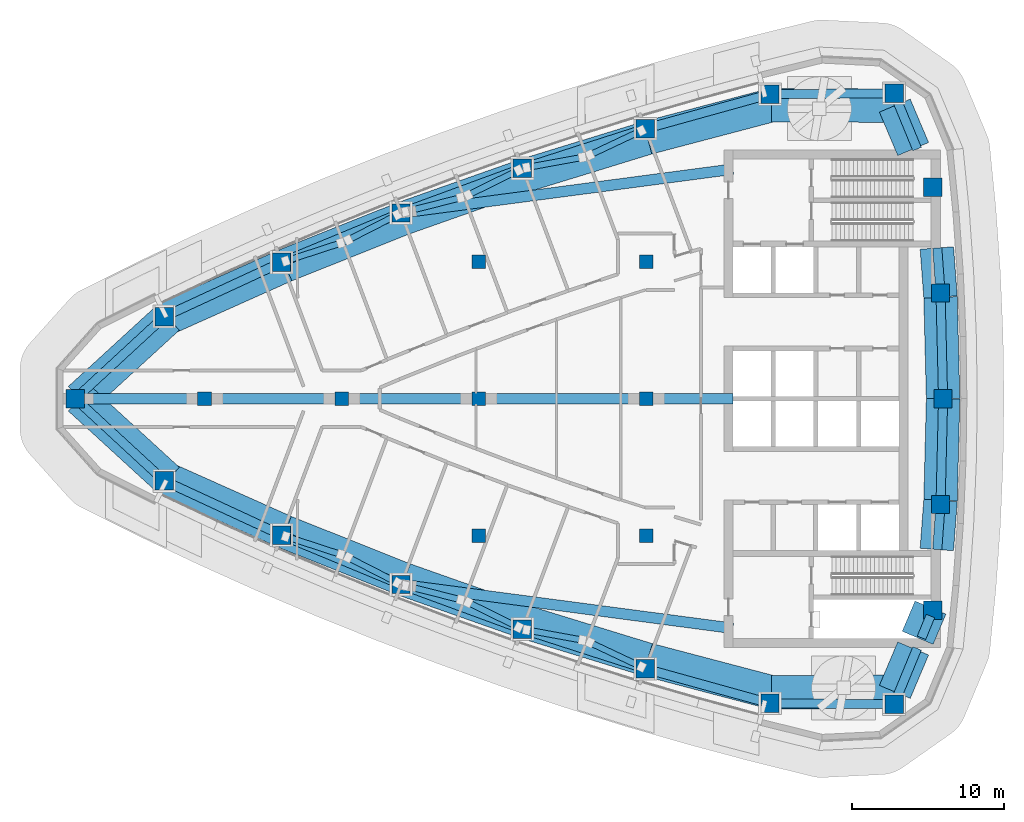
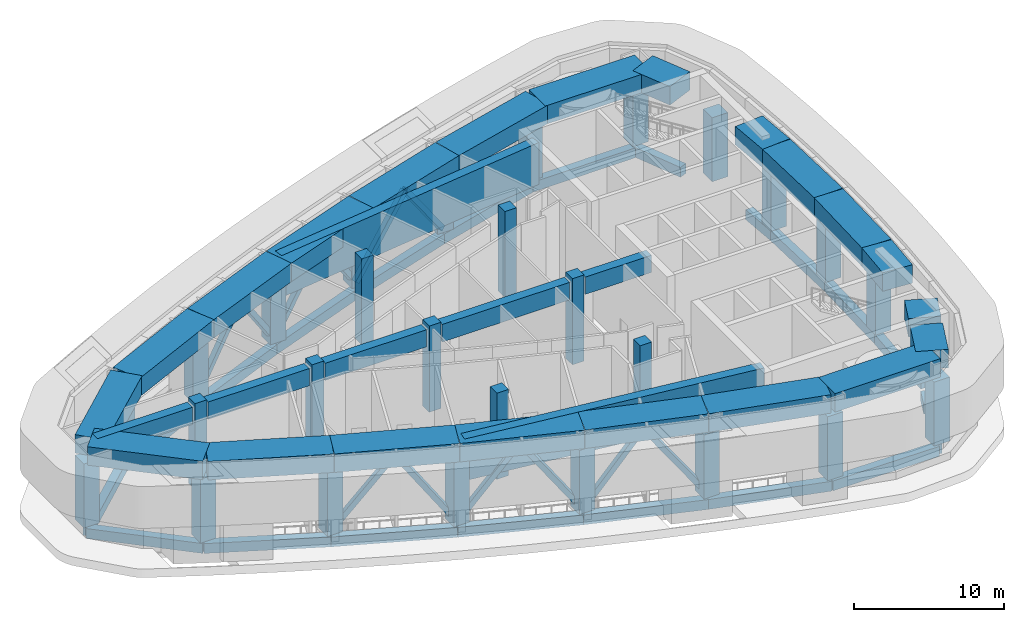
# One storey, part 1 of 12: 49 beams, 28 columns, 12 members.
"""IFC4 building model written with IfcOpenShell, lengths in metres."""

from ifc_helpers import new_model, si_unit, direction, frame, origin, origin_2d, place, context, subcontext, project, spatial, rectangle, hollow_rectangle, extrude, material, material_profile, profile_set, type_object, element, save


model = new_model("IFC4")

# Units and contexts
model_context = context("Model", 3, precision=1e-05, world=origin(), true_north=direction((0.0, 1.0)))
body_context = subcontext(model_context, "Body", "Model", "MODEL_VIEW")
ifc_project = project(units=[si_unit("LENGTHUNIT", "METRE"), si_unit("AREAUNIT", "SQUARE_METRE"), si_unit("VOLUMEUNIT", "CUBIC_METRE"), si_unit("PLANEANGLEUNIT", "RADIAN"), si_unit("MASSUNIT", "GRAM", prefix="KILO")], contexts=[model_context])

# Site, building, storey
site_placement = place(None, origin())
site = spatial("IfcSite", under=ifc_project, at=site_placement, CompositionType="ELEMENT")
building_placement = place(site_placement, origin())
building = spatial("IfcBuilding", under=site, at=building_placement, Name="Ostrand Prow Hotel Tower", CompositionType="ELEMENT")
storey_placement = place(building_placement, frame((0.0, 0.0, 256.300048828125)))
storey = spatial("IfcBuildingStorey", under=building, at=storey_placement, Name="L65", CompositionType="ELEMENT", Elevation=256.300048828125)

# Columns
ifc_material_1 = material(Name="Concrete C50/60", Category="concrete")
ifc_material_profile_1 = material_profile(ifc_material_1, rectangle(XDim=0.89990234375, YDim=0.89990234375, at=origin_2d()), Name="RC 900x900")
ifc_profile_set_1 = profile_set([ifc_material_profile_1], Name="Concrete C50/60")
column_type_1 = type_object("IfcColumnType", Name="Interior column 900x900 C50/60", PredefinedType="COLUMN", material=ifc_profile_set_1)
for number, where, z_axis, x_axis, name in (
    (1, (16.0, 0.0, 0.0), (0.0, 0.0, 1.0), (1.0, 0.0, 0.0), "Interior column 16C0"),
    (2, (25.0, 0.0, 0.0), (0.0, 0.0, 1.0), (1.0, 0.0, 0.0), "Interior column 25C0"),
    (3, (34.0, -9.0, 0.0), (0.0, 0.0, 1.0), (1.0, 0.0, 0.0), "Interior column 34S9"),
    (4, (34.0, 0.0, 0.0), (0.0, 0.0, 1.0), (1.0, 0.0, 0.0), "Interior column 34C0"),
    (5, (34.0, 9.0, 0.0), (0.0, 0.0, 1.0), (1.0, 0.0, 0.0), "Interior column 34N9"),
    (6, (45.0, -9.0, 0.0), (0.0, 0.0, 1.0), (1.0, 0.0, 0.0), "Interior column 45S9"),
    (7, (45.0, 0.0, 0.0), (0.0, 0.0, 1.0), (1.0, 0.0, 0.0), "Interior column 45C0"),
    (8, (45.0, 9.0, 0.0), (0.0, 0.0, 1.0), (1.0, 0.0, 0.0), "Interior column 45N9"),
):
    element("IfcColumn", number, at=place(storey_placement, frame(where, z_axis=z_axis, x_axis=x_axis)), inside=storey, type_object=column_type_1, Name=name, PredefinedType="COLUMN", context=body_context, shape_type="SweptSolid", body=[
        extrude(rectangle(XDim=0.89990234375, YDim=0.89990234375, at=origin_2d()), origin(), (0.0, 0.0, 1.0), 7.0),
    ])
ifc_material_2 = material(Name="Concrete C50/60", Category="concrete")
ifc_material_profile_2 = material_profile(ifc_material_2, rectangle(XDim=1.199951171875, YDim=1.199951171875, at=origin_2d()), Name="RC 1200x1200")
ifc_profile_set_2 = profile_set([ifc_material_profile_2], Name="Concrete C50/60")
column_type_2 = type_object("IfcColumnType", Name="Stone-faced mega column 1200x1200 C50/60", PredefinedType="COLUMN", material=ifc_profile_set_2)
for number, where, z_axis, x_axis, name in (
    (9, (7.513916015625, 0.0, 0.0), (0.0, 0.0, 1.0), (1.0, 0.0, 0.0), "Mega column P"),
    (10, (13.356201171875, -5.392822265625, 0.0), (0.0, 0.0, 1.0), (1.0, 0.0, 0.0), "Mega column S1"),
    (11, (21.05859375, -8.95751953125, 0.0), (0.0, 0.0, 1.0), (1.0, 0.0, 0.0), "Mega column S2"),
    (12, (28.900146484375, -12.205322265625, 0.0), (0.0, 0.0, 1.0), (1.0, 0.0, 0.0), "Mega column S3"),
    (13, (36.8671875, -15.131591796875, 0.0), (0.0, 0.0, 1.0), (1.0, 0.0, 0.0), "Mega column S4"),
    (14, (44.94677734375, -17.731201171875, 0.0), (0.0, 0.0, 1.0), (1.0, 0.0, 0.0), "Mega column S5"),
    (15, (53.12548828125, -19.99951171875, 0.0), (0.0, 0.0, 1.0), (1.0, 0.0, 0.0), "Mega column S6"),
    (16, (61.283935546875, -20.06201171875, 0.0), (0.0, 0.0, 1.0), (1.0, 0.0, 0.0), "Mega column SE"),
    (17, (63.826416015625, -13.887939453125, 0.0), (0.0, 0.0, 1.0), (1.0, 0.0, 0.0), "Mega column B1"),
    (18, (64.33154296875, -6.9521484375, 0.0), (0.0, 0.0, 1.0), (1.0, 0.0, 0.0), "Mega column B2"),
    (19, (64.5, 0.0, 0.0), (0.0, 0.0, 1.0), (1.0, 0.0, 0.0), "Mega column B3"),
    (20, (64.33154296875, 6.9521484375, 0.0), (0.0, 0.0, 1.0), (1.0, 0.0, 0.0), "Mega column B4"),
    (21, (63.826416015625, 13.887939453125, 0.0), (0.0, 0.0, 1.0), (1.0, 0.0, 0.0), "Mega column B5"),
    (22, (61.283935546875, 20.06201171875, 0.0), (0.0, 0.0, 1.0), (1.0, 0.0, 0.0), "Mega column NE"),
    (23, (53.12548828125, 19.99951171875, 0.0), (0.0, 0.0, 1.0), (1.0, 0.0, 0.0), "Mega column N1"),
    (24, (44.94677734375, 17.731201171875, 0.0), (0.0, 0.0, 1.0), (1.0, 0.0, 0.0), "Mega column N2"),
    (25, (36.8671875, 15.131591796875, 0.0), (0.0, 0.0, 1.0), (1.0, 0.0, 0.0), "Mega column N3"),
    (26, (28.900146484375, 12.205322265625, 0.0), (0.0, 0.0, 1.0), (1.0, 0.0, 0.0), "Mega column N4"),
    (27, (21.05859375, 8.95751953125, 0.0), (0.0, 0.0, 1.0), (1.0, 0.0, 0.0), "Mega column N5"),
    (28, (13.356201171875, 5.392822265625, 0.0), (0.0, 0.0, 1.0), (1.0, 0.0, 0.0), "Mega column N6"),
):
    element("IfcColumn", number, at=place(storey_placement, frame(where, z_axis=z_axis, x_axis=x_axis)), inside=storey, type_object=column_type_2, Name=name, PredefinedType="COLUMN", context=body_context, shape_type="SweptSolid", body=[
        extrude(rectangle(XDim=1.199951171875, YDim=1.199951171875, at=origin_2d()), origin(), (0.0, 0.0, 1.0), 5.199951171875),
    ])

# Members
ifc_material_3 = material(Name="Steel S355", Category="steel")
ifc_material_profile_3 = material_profile(ifc_material_3, hollow_rectangle(XDim=0.406005859375, YDim=0.406005859375, WallThickness=0.01904296875, at=origin_2d()), Name="HSS406x406x19")
ifc_profile_set_3 = profile_set([ifc_material_profile_3], Name="Steel S355")
member_type = type_object("IfcMemberType", Name="Belt brace HSS406x406x19", PredefinedType="BRACE", material=ifc_profile_set_3)
member_1_placement = place(storey_placement, frame((21.05859375, -8.95751953125, 0.0), z_axis=(0.586603130859, -0.191426608854, 0.786926057701), x_axis=(0.310230036698, 0.950661519328, 0.0)))
element("IfcMember", 29, at=member_1_placement, inside=storey, type_object=member_type, Name="Belt brace 01", PredefinedType="BRACE", context=body_context, shape_type="SweptSolid", body=[
    extrude(hollow_rectangle(XDim=0.406005859375, YDim=0.406005859375, WallThickness=0.01904296875, at=origin_2d()), origin(), (0.0, 0.0, 1.0), 7.052734375),
])
member_2_placement = place(storey_placement, frame((28.900146484375, -12.205322265625, 0.0), z_axis=(-0.533973069173, 0.27354990224, 0.800027007283), x_axis=(-0.455943869027, -0.89000853271, 0.0)))
element("IfcMember", 30, at=member_2_placement, inside=storey, type_object=member_type, Name="Belt brace 02", PredefinedType="BRACE", context=body_context, shape_type="SweptSolid", body=[
    extrude(hollow_rectangle(XDim=0.406005859375, YDim=0.406005859375, WallThickness=0.01904296875, at=origin_2d()), origin(), (0.0, 0.0, 1.0), 6.937255859375),
])
member_3_placement = place(storey_placement, frame((28.900146484375, -12.205322265625, 0.0), z_axis=(0.594227965043, -0.150859324887, 0.790021891884), x_axis=(0.246068475961, 0.969252446547, 0.0)))
element("IfcMember", 31, at=member_3_placement, inside=storey, type_object=member_type, Name="Belt brace 03", PredefinedType="BRACE", context=body_context, shape_type="SweptSolid", body=[
    extrude(hollow_rectangle(XDim=0.406005859375, YDim=0.406005859375, WallThickness=0.01904296875, at=origin_2d()), origin(), (0.0, 0.0, 1.0), 7.025146484375),
])
member_4_placement = place(storey_placement, frame((36.8671875, -15.131591796875, 0.0), z_axis=(-0.543618770018, 0.267539944431, 0.795550759548), x_axis=(-0.44156743606, -0.897228064324, 0.0)))
element("IfcMember", 32, at=member_4_placement, inside=storey, type_object=member_type, Name="Belt brace 04", PredefinedType="BRACE", context=body_context, shape_type="SweptSolid", body=[
    extrude(hollow_rectangle(XDim=0.406005859375, YDim=0.406005859375, WallThickness=0.01904296875, at=origin_2d()), origin(), (0.0, 0.0, 1.0), 6.976318359375),
])
member_5_placement = place(storey_placement, frame((36.8671875, -15.131591796875, 0.0), z_axis=(0.599818407788, -0.109650598262, 0.792587297387), x_axis=(0.179826285282, 0.983698382189, 0.0)))
element("IfcMember", 33, at=member_5_placement, inside=storey, type_object=member_type, Name="Belt brace 05", PredefinedType="BRACE", context=body_context, shape_type="SweptSolid", body=[
    extrude(hollow_rectangle(XDim=0.406005859375, YDim=0.406005859375, WallThickness=0.01904296875, at=origin_2d()), origin(), (0.0, 0.0, 1.0), 7.00244140625),
])
member_6_placement = place(storey_placement, frame((44.94677734375, -17.731201171875, 0.0), z_axis=(-0.553025634741, 0.261129725454, 0.791185132446), x_axis=(-0.426977869339, -0.904262074343, 0.0)))
element("IfcMember", 34, at=member_6_placement, inside=storey, type_object=member_type, Name="Belt brace 06", PredefinedType="BRACE", context=body_context, shape_type="SweptSolid", body=[
    extrude(hollow_rectangle(XDim=0.406005859375, YDim=0.406005859375, WallThickness=0.01904296875, at=origin_2d()), origin(), (0.0, 0.0, 1.0), 7.014892578125),
])
member_7_placement = place(storey_placement, frame((21.05859375, 8.95751953125, 0.0), z_axis=(0.586603130859, 0.191426608854, 0.786926057701), x_axis=(-0.310230036698, 0.950661519328, 0.0)))
element("IfcMember", 35, at=member_7_placement, inside=storey, type_object=member_type, Name="Belt brace 07", PredefinedType="BRACE", context=body_context, shape_type="SweptSolid", body=[
    extrude(hollow_rectangle(XDim=0.406005859375, YDim=0.406005859375, WallThickness=0.01904296875, at=origin_2d()), origin(), (0.0, 0.0, 1.0), 7.052734375),
])
member_8_placement = place(storey_placement, frame((28.900146484375, 12.205322265625, 0.0), z_axis=(-0.533973069173, -0.27354990224, 0.800027007283), x_axis=(0.455943869027, -0.89000853271, 0.0)))
element("IfcMember", 36, at=member_8_placement, inside=storey, type_object=member_type, Name="Belt brace 08", PredefinedType="BRACE", context=body_context, shape_type="SweptSolid", body=[
    extrude(hollow_rectangle(XDim=0.406005859375, YDim=0.406005859375, WallThickness=0.01904296875, at=origin_2d()), origin(), (0.0, 0.0, 1.0), 6.937255859375),
])
member_9_placement = place(storey_placement, frame((28.900146484375, 12.205322265625, 0.0), z_axis=(0.594227965043, 0.150859324887, 0.790021891884), x_axis=(-0.246068475961, 0.969252446547, 0.0)))
element("IfcMember", 37, at=member_9_placement, inside=storey, type_object=member_type, Name="Belt brace 09", PredefinedType="BRACE", context=body_context, shape_type="SweptSolid", body=[
    extrude(hollow_rectangle(XDim=0.406005859375, YDim=0.406005859375, WallThickness=0.01904296875, at=origin_2d()), origin(), (0.0, 0.0, 1.0), 7.025146484375),
])
member_10_placement = place(storey_placement, frame((36.8671875, 15.131591796875, 0.0), z_axis=(-0.543618770018, -0.267539944431, 0.795550759548), x_axis=(0.44156743606, -0.897228064324, 0.0)))
element("IfcMember", 38, at=member_10_placement, inside=storey, type_object=member_type, Name="Belt brace 10", PredefinedType="BRACE", context=body_context, shape_type="SweptSolid", body=[
    extrude(hollow_rectangle(XDim=0.406005859375, YDim=0.406005859375, WallThickness=0.01904296875, at=origin_2d()), origin(), (0.0, 0.0, 1.0), 6.976318359375),
])
member_11_placement = place(storey_placement, frame((36.8671875, 15.131591796875, 0.0), z_axis=(0.599818407788, 0.109650598262, 0.792587297387), x_axis=(-0.179826285282, 0.983698382189, 0.0)))
element("IfcMember", 39, at=member_11_placement, inside=storey, type_object=member_type, Name="Belt brace 11", PredefinedType="BRACE", context=body_context, shape_type="SweptSolid", body=[
    extrude(hollow_rectangle(XDim=0.406005859375, YDim=0.406005859375, WallThickness=0.01904296875, at=origin_2d()), origin(), (0.0, 0.0, 1.0), 7.00244140625),
])
member_12_placement = place(storey_placement, frame((44.94677734375, 17.731201171875, 0.0), z_axis=(-0.553025634741, -0.261129725454, 0.791185132446), x_axis=(0.426977869339, -0.904262074343, 0.0)))
element("IfcMember", 40, at=member_12_placement, inside=storey, type_object=member_type, Name="Belt brace 12", PredefinedType="BRACE", context=body_context, shape_type="SweptSolid", body=[
    extrude(hollow_rectangle(XDim=0.406005859375, YDim=0.406005859375, WallThickness=0.01904296875, at=origin_2d()), origin(), (0.0, 0.0, 1.0), 7.014892578125),
])

# Beams
ifc_material_4 = material(Name="Concrete C50/60", Category="concrete")
ifc_material_profile_4 = material_profile(ifc_material_4, rectangle(XDim=2.199951171875, YDim=1.5, at=origin_2d()), Name="RC 2200x1500")
ifc_profile_set_4 = profile_set([ifc_material_profile_4], Name="Concrete C50/60")
beam_type_1 = type_object("IfcBeamType", Name="Belt girder 2200x1500 C50/60", PredefinedType="BEAM", material=ifc_profile_set_4)
beam_1_placement = place(storey_placement, frame((7.79833984375, 0.0, 5.949951171875), z_axis=(0.737451564931, -0.67540002175, 0.0), x_axis=(0.67540002175, 0.737451564931, 0.0)))
element("IfcBeam", 41, at=beam_1_placement, inside=storey, type_object=beam_type_1, Name="Belt girder P-S1", PredefinedType="BEAM", context=body_context, shape_type="SweptSolid", body=[
    extrude(rectangle(XDim=2.199951171875, YDim=1.5, at=origin_2d()), origin(), (0.0, 0.0, 1.0), 7.868896484375),
])
for number, where, z_axis, x_axis, name in (
    (42, (13.601318359375, -5.314697265625, 5.949951171875), (0.912993999971, -0.407972984421, 0.0), (0.407972984421, 0.912993999971, 0.0), "Belt girder S1-S2"),
    (43, (21.286376953125, -8.748779296875, 5.949951171875), (0.928866238112, -0.370415323245, 0.0), (0.370415323245, 0.928866238112, 0.0), "Belt girder S2-S3"),
    (44, (29.10498046875, -11.86669921875, 5.949951171875), (0.943174920288, -0.332296659237, 0.0), (0.332296659237, 0.943174920288, 0.0), "Belt girder S3-S4"),
    (45, (37.044189453125, -14.663818359375, 5.949951171875), (0.955935650108, -0.293576281149, 0.0), (0.293576281149, 0.955935650108, 0.0), "Belt girder S4-S5"),
):
    element("IfcBeam", number, at=place(storey_placement, frame(where, z_axis=z_axis, x_axis=x_axis)), inside=storey, type_object=beam_type_1, Name=name, PredefinedType="BEAM", context=body_context, shape_type="SweptSolid", body=[
        extrude(rectangle(XDim=2.199951171875, YDim=1.5, at=origin_2d()), origin(), (0.0, 0.0, 1.0), 8.41748046875),
    ])
beam_2_placement = place(storey_placement, frame((45.0908203125, -17.135009765625, 5.949951171875), z_axis=(0.967099329324, -0.254399070794, 0.0), x_axis=(0.254399070794, 0.967099329324, 0.0)))
element("IfcBeam", 46, at=beam_2_placement, inside=storey, type_object=beam_type_1, Name="Belt girder S5-S6", PredefinedType="BEAM", context=body_context, shape_type="SweptSolid", body=[
    extrude(rectangle(XDim=2.199951171875, YDim=1.5, at=origin_2d()), origin(), (0.0, 0.0, 1.0), 8.417236328125),
])
beam_3_placement = place(storey_placement, frame((53.231201171875, -19.2763671875, 5.949951171875), z_axis=(0.999995084488, 0.003135442395, 0.0), x_axis=(-0.003135442395, 0.999995084488, 0.0)))
element("IfcBeam", 47, at=beam_3_placement, inside=storey, type_object=beam_type_1, Name="Belt girder S6-SE", PredefinedType="BEAM", context=body_context, shape_type="SweptSolid", body=[
    extrude(rectangle(XDim=2.199951171875, YDim=1.5, at=origin_2d()), origin(), (0.0, 0.0, 1.0), 8.097900390625),
])
beam_4_placement = place(storey_placement, frame((61.3291015625, -19.2509765625, 5.949951171875), z_axis=(0.389459878827, 0.92104343154, 0.0), x_axis=(-0.92104343154, 0.389459878827, 0.0)))
element("IfcBeam", 48, at=beam_4_placement, inside=storey, type_object=beam_type_1, Name="Belt girder SE-B1", PredefinedType="BEAM", context=body_context, shape_type="SweptSolid", body=[
    extrude(rectangle(XDim=2.199951171875, YDim=1.5, at=origin_2d()), origin(), (0.0, 0.0, 1.0), 3.095458984375),
])
beam_5_placement = place(storey_placement, frame((62.83056640625, -15.699951171875, 5.949951171875), z_axis=(0.389403500952, 0.921067268687, 0.0), x_axis=(-0.921067268687, 0.389403500952, 0.0)))
element("IfcBeam", 49, at=beam_5_placement, inside=storey, type_object=beam_type_1, Name="Belt girder SE-B1", PredefinedType="BEAM", context=body_context, shape_type="SweptSolid", body=[
    extrude(rectangle(XDim=2.199951171875, YDim=1.5, at=origin_2d()), origin(), (0.0, 0.0, 1.0), 2.155517578125),
])
beam_6_placement = place(storey_placement, frame((64.0888671875, -9.89990234375, 5.949951171875), z_axis=(0.075327125282, 0.997158876106, 0.0), x_axis=(-0.997158876106, 0.075327125282, 0.0)))
element("IfcBeam", 50, at=beam_6_placement, inside=storey, type_object=beam_type_1, Name="Belt girder B1-B2", PredefinedType="BEAM", context=body_context, shape_type="SweptSolid", body=[
    extrude(rectangle(XDim=2.199951171875, YDim=1.5, at=origin_2d()), origin(), (0.0, 0.0, 1.0), 3.2314453125),
])
for number, where, z_axis, x_axis, name in (
    (51, (64.332275390625, -6.677734375, 5.949951171875), (0.025109074324, 0.999684717492, 0.0), (-0.999684717492, 0.025109074324, 0.0), "Belt girder B2-B3"),
    (52, (64.5, 0.0, 5.949951171875), (-0.025109074324, 0.999684717492, 0.0), (-0.999684717492, -0.025109074324, 0.0), "Belt girder B3-B4"),
):
    element("IfcBeam", number, at=place(storey_placement, frame(where, z_axis=z_axis, x_axis=x_axis)), inside=storey, type_object=beam_type_1, Name=name, PredefinedType="BEAM", context=body_context, shape_type="SweptSolid", body=[
        extrude(rectangle(XDim=2.199951171875, YDim=1.5, at=origin_2d()), origin(), (0.0, 0.0, 1.0), 6.679931640625),
    ])
beam_7_placement = place(storey_placement, frame((64.332275390625, 6.677734375, 5.949951171875), z_axis=(-0.075327125282, 0.997158876106, 0.0), x_axis=(-0.997158876106, -0.075327125282, 0.0)))
element("IfcBeam", 53, at=beam_7_placement, inside=storey, type_object=beam_type_1, Name="Belt girder B4-B5", PredefinedType="BEAM", context=body_context, shape_type="SweptSolid", body=[
    extrude(rectangle(XDim=2.199951171875, YDim=1.5, at=origin_2d()), origin(), (0.0, 0.0, 1.0), 3.2314453125),
])
beam_8_placement = place(storey_placement, frame((62.53466796875, 16.39990234375, 5.949951171875), z_axis=(-0.389459878827, 0.92104343154, 0.0), x_axis=(-0.92104343154, -0.389459878827, 0.0)))
element("IfcBeam", 54, at=beam_8_placement, inside=storey, type_object=beam_type_1, Name="Belt girder B5-NE", PredefinedType="BEAM", context=body_context, shape_type="SweptSolid", body=[
    extrude(rectangle(XDim=2.199951171875, YDim=1.5, at=origin_2d()), origin(), (0.0, 0.0, 1.0), 3.095458984375),
])
beam_9_placement = place(storey_placement, frame((61.3291015625, 19.2509765625, 5.949951171875), z_axis=(-0.999995084488, 0.003135442395, 0.0), x_axis=(-0.003135442395, -0.999995084488, 0.0)))
element("IfcBeam", 55, at=beam_9_placement, inside=storey, type_object=beam_type_1, Name="Belt girder NE-N1", PredefinedType="BEAM", context=body_context, shape_type="SweptSolid", body=[
    extrude(rectangle(XDim=2.199951171875, YDim=1.5, at=origin_2d()), origin(), (0.0, 0.0, 1.0), 8.097900390625),
])
beam_10_placement = place(storey_placement, frame((53.231201171875, 19.2763671875, 5.949951171875), z_axis=(-0.967099329324, -0.254399070794, 0.0), x_axis=(0.254399070794, -0.967099329324, 0.0)))
element("IfcBeam", 56, at=beam_10_placement, inside=storey, type_object=beam_type_1, Name="Belt girder N1-N2", PredefinedType="BEAM", context=body_context, shape_type="SweptSolid", body=[
    extrude(rectangle(XDim=2.199951171875, YDim=1.5, at=origin_2d()), origin(), (0.0, 0.0, 1.0), 8.417236328125),
])
for number, where, z_axis, x_axis, name in (
    (57, (45.0908203125, 17.135009765625, 5.949951171875), (-0.955935650108, -0.293576281149, 0.0), (0.293576281149, -0.955935650108, 0.0), "Belt girder N2-N3"),
    (58, (37.044189453125, 14.663818359375, 5.949951171875), (-0.943174920288, -0.332296659237, 0.0), (0.332296659237, -0.943174920288, 0.0), "Belt girder N3-N4"),
    (59, (29.10498046875, 11.86669921875, 5.949951171875), (-0.928866238112, -0.370415323245, 0.0), (0.370415323245, -0.928866238112, 0.0), "Belt girder N4-N5"),
    (60, (21.286376953125, 8.748779296875, 5.949951171875), (-0.912993999971, -0.407972984421, 0.0), (0.407972984421, -0.912993999971, 0.0), "Belt girder N5-N6"),
):
    element("IfcBeam", number, at=place(storey_placement, frame(where, z_axis=z_axis, x_axis=x_axis)), inside=storey, type_object=beam_type_1, Name=name, PredefinedType="BEAM", context=body_context, shape_type="SweptSolid", body=[
        extrude(rectangle(XDim=2.199951171875, YDim=1.5, at=origin_2d()), origin(), (0.0, 0.0, 1.0), 8.41748046875),
    ])
beam_11_placement = place(storey_placement, frame((13.601318359375, 5.314697265625, 5.949951171875), z_axis=(-0.737451564931, -0.67540002175, 0.0), x_axis=(0.67540002175, -0.737451564931, 0.0)))
element("IfcBeam", 61, at=beam_11_placement, inside=storey, type_object=beam_type_1, Name="Belt girder N6-P", PredefinedType="BEAM", context=body_context, shape_type="SweptSolid", body=[
    extrude(rectangle(XDim=2.199951171875, YDim=1.5, at=origin_2d()), origin(), (0.0, 0.0, 1.0), 7.868896484375),
])
ifc_material_5 = material(Name="Concrete C50/60", Category="concrete")
ifc_material_profile_5 = material_profile(ifc_material_5, rectangle(XDim=0.60009765625, YDim=0.800048828125, at=origin_2d()), Name="RC 600x800")
ifc_profile_set_5 = profile_set([ifc_material_profile_5], Name="Concrete C50/60")
beam_type_2 = type_object("IfcBeamType", Name="Edge beam 600x800 C50/60", PredefinedType="SPANDREL", material=ifc_profile_set_5)
beam_12_placement = place(storey_placement, frame((7.513916015625, 0.0, -0.800048828125), z_axis=(0.734806976358, -0.678276276672, 0.0), x_axis=(0.678276276672, 0.734806976358, 0.0)))
element("IfcBeam", 62, at=beam_12_placement, inside=storey, type_object=beam_type_2, Name="Edge beam P-S1", PredefinedType="SPANDREL", context=body_context, shape_type="SweptSolid", body=[
    extrude(rectangle(XDim=0.60009765625, YDim=0.800048828125, at=origin_2d()), origin(), (0.0, 0.0, 1.0), 7.95068359375),
])
beam_13_placement = place(storey_placement, frame((13.356201171875, -5.392822265625, -0.800048828125), z_axis=(0.907521936352, -0.420004684544, 0.0), x_axis=(0.420004684544, 0.907521936352, 0.0)))
element("IfcBeam", 63, at=beam_13_placement, inside=storey, type_object=beam_type_2, Name="Edge beam S1-S2", PredefinedType="SPANDREL", context=body_context, shape_type="SweptSolid", body=[
    extrude(rectangle(XDim=0.60009765625, YDim=0.800048828125, at=origin_2d()), origin(), (0.0, 0.0, 1.0), 8.4873046875),
])
for number, where, z_axis, x_axis, name in (
    (64, (21.05859375, -8.95751953125, -0.800048828125), (0.923890977326, -0.38265580097, 0.0), (0.38265580097, 0.923890977326, 0.0), "Edge beam S2-S3"),
    (65, (28.900146484375, -12.205322265625, -0.800048828125), (0.938684959139, -0.344776083113, 0.0), (0.344776083113, 0.938684959139, 0.0), "Edge beam S3-S4"),
    (66, (36.8671875, -15.131591796875, -0.800048828125), (0.95193933362, -0.306286638798, 0.0), (0.306286638798, 0.95193933362, 0.0), "Edge beam S4-S5"),
    (67, (44.94677734375, -17.731201171875, -0.800048828125), (0.963625802813, -0.267255144297, 0.0), (0.267255144297, 0.963625802813, 0.0), "Edge beam S5-S6"),
):
    element("IfcBeam", number, at=place(storey_placement, frame(where, z_axis=z_axis, x_axis=x_axis)), inside=storey, type_object=beam_type_2, Name=name, PredefinedType="SPANDREL", context=body_context, shape_type="SweptSolid", body=[
        extrude(rectangle(XDim=0.60009765625, YDim=0.800048828125, at=origin_2d()), origin(), (0.0, 0.0, 1.0), 8.487548828125),
    ])
beam_14_placement = place(storey_placement, frame((53.12548828125, -19.99951171875, -0.800048828125), z_axis=(0.999970657582, -0.007660546678, 0.0), x_axis=(0.007660546678, 0.999970657582, 0.0)))
element("IfcBeam", 68, at=beam_14_placement, inside=storey, type_object=beam_type_2, Name="Edge beam S6-SE", PredefinedType="SPANDREL", context=body_context, shape_type="SweptSolid", body=[
    extrude(rectangle(XDim=0.60009765625, YDim=0.800048828125, at=origin_2d()), origin(), (0.0, 0.0, 1.0), 8.15869140625),
])
beam_15_placement = place(storey_placement, frame((61.283935546875, -20.06201171875, -0.800048828125), z_axis=(0.380777709221, 0.924666608114, 0.0), x_axis=(-0.924666608114, 0.380777709221, 0.0)))
element("IfcBeam", 69, at=beam_15_placement, inside=storey, type_object=beam_type_2, Name="Edge beam SE-B1", PredefinedType="SPANDREL", context=body_context, shape_type="SweptSolid", body=[
    extrude(rectangle(XDim=0.60009765625, YDim=0.800048828125, at=origin_2d()), origin(), (0.0, 0.0, 1.0), 3.96044921875),
])
beam_16_placement = place(storey_placement, frame((63.080078125, -15.699951171875, -0.800048828125), z_axis=(0.380773585759, 0.924668306145, 0.0), x_axis=(-0.924668306145, 0.380773585759, 0.0)))
element("IfcBeam", 70, at=beam_16_placement, inside=storey, type_object=beam_type_2, Name="Edge beam SE-B1", PredefinedType="SPANDREL", context=body_context, shape_type="SweptSolid", body=[
    extrude(rectangle(XDim=0.60009765625, YDim=0.800048828125, at=origin_2d()), origin(), (0.0, 0.0, 1.0), 1.549072265625),
])
beam_17_placement = place(storey_placement, frame((64.11669921875, -9.89990234375, -0.800048828125), z_axis=(0.072691068771, 0.997354504938, 0.0), x_axis=(-0.997354504938, 0.072691068771, 0.0)))
element("IfcBeam", 71, at=beam_17_placement, inside=storey, type_object=beam_type_2, Name="Edge beam B1-B2", PredefinedType="SPANDREL", context=body_context, shape_type="SweptSolid", body=[
    extrude(rectangle(XDim=0.60009765625, YDim=0.800048828125, at=origin_2d()), origin(), (0.0, 0.0, 1.0), 2.95556640625),
])
for number, where, z_axis, x_axis, name in (
    (72, (64.33154296875, -6.9521484375, -0.800048828125), (0.024223820991, 0.999706560195, 0.0), (-0.999706560195, 0.024223820991, 0.0), "Edge beam B2-B3"),
    (73, (64.5, 0.0, -0.800048828125), (-0.024223820991, 0.999706560195, 0.0), (-0.999706560195, -0.024223820991, 0.0), "Edge beam B3-B4"),
):
    element("IfcBeam", number, at=place(storey_placement, frame(where, z_axis=z_axis, x_axis=x_axis)), inside=storey, type_object=beam_type_2, Name=name, PredefinedType="SPANDREL", context=body_context, shape_type="SweptSolid", body=[
        extrude(rectangle(XDim=0.60009765625, YDim=0.800048828125, at=origin_2d()), origin(), (0.0, 0.0, 1.0), 6.9541015625),
    ])
beam_18_placement = place(storey_placement, frame((64.33154296875, 6.9521484375, -0.800048828125), z_axis=(-0.072691068771, 0.997354504938, 0.0), x_axis=(-0.997354504938, -0.072691068771, 0.0)))
element("IfcBeam", 74, at=beam_18_placement, inside=storey, type_object=beam_type_2, Name="Edge beam B4-B5", PredefinedType="SPANDREL", context=body_context, shape_type="SweptSolid", body=[
    extrude(rectangle(XDim=0.60009765625, YDim=0.800048828125, at=origin_2d()), origin(), (0.0, 0.0, 1.0), 2.95556640625),
])
beam_19_placement = place(storey_placement, frame((62.7919921875, 16.39990234375, -0.800048828125), z_axis=(-0.380777709221, 0.924666608114, 0.0), x_axis=(-0.924666608114, -0.380777709221, 0.0)))
element("IfcBeam", 75, at=beam_19_placement, inside=storey, type_object=beam_type_2, Name="Edge beam B5-NE", PredefinedType="SPANDREL", context=body_context, shape_type="SweptSolid", body=[
    extrude(rectangle(XDim=0.60009765625, YDim=0.800048828125, at=origin_2d()), origin(), (0.0, 0.0, 1.0), 3.96044921875),
])
beam_20_placement = place(storey_placement, frame((61.283935546875, 20.06201171875, -0.800048828125), z_axis=(-0.999970657582, -0.007660546678, 0.0), x_axis=(0.007660546678, -0.999970657582, 0.0)))
element("IfcBeam", 76, at=beam_20_placement, inside=storey, type_object=beam_type_2, Name="Edge beam NE-N1", PredefinedType="SPANDREL", context=body_context, shape_type="SweptSolid", body=[
    extrude(rectangle(XDim=0.60009765625, YDim=0.800048828125, at=origin_2d()), origin(), (0.0, 0.0, 1.0), 8.15869140625),
])
for number, where, z_axis, x_axis, name in (
    (77, (53.12548828125, 19.99951171875, -0.800048828125), (-0.963625802813, -0.267255144297, 0.0), (0.267255144297, -0.963625802813, 0.0), "Edge beam N1-N2"),
    (78, (44.94677734375, 17.731201171875, -0.800048828125), (-0.95193933362, -0.306286638798, 0.0), (0.306286638798, -0.95193933362, 0.0), "Edge beam N2-N3"),
    (79, (36.8671875, 15.131591796875, -0.800048828125), (-0.938684959139, -0.344776083113, 0.0), (0.344776083113, -0.938684959139, 0.0), "Edge beam N3-N4"),
    (80, (28.900146484375, 12.205322265625, -0.800048828125), (-0.923890977326, -0.38265580097, 0.0), (0.38265580097, -0.923890977326, 0.0), "Edge beam N4-N5"),
):
    element("IfcBeam", number, at=place(storey_placement, frame(where, z_axis=z_axis, x_axis=x_axis)), inside=storey, type_object=beam_type_2, Name=name, PredefinedType="SPANDREL", context=body_context, shape_type="SweptSolid", body=[
        extrude(rectangle(XDim=0.60009765625, YDim=0.800048828125, at=origin_2d()), origin(), (0.0, 0.0, 1.0), 8.487548828125),
    ])
beam_21_placement = place(storey_placement, frame((21.05859375, 8.95751953125, -0.800048828125), z_axis=(-0.907521936352, -0.420004684544, 0.0), x_axis=(0.420004684544, -0.907521936352, 0.0)))
element("IfcBeam", 81, at=beam_21_placement, inside=storey, type_object=beam_type_2, Name="Edge beam N5-N6", PredefinedType="SPANDREL", context=body_context, shape_type="SweptSolid", body=[
    extrude(rectangle(XDim=0.60009765625, YDim=0.800048828125, at=origin_2d()), origin(), (0.0, 0.0, 1.0), 8.4873046875),
])
beam_22_placement = place(storey_placement, frame((13.356201171875, 5.392822265625, -0.800048828125), z_axis=(-0.734806976358, -0.678276276672, 0.0), x_axis=(0.678276276672, -0.734806976358, 0.0)))
element("IfcBeam", 82, at=beam_22_placement, inside=storey, type_object=beam_type_2, Name="Edge beam N6-P", PredefinedType="SPANDREL", context=body_context, shape_type="SweptSolid", body=[
    extrude(rectangle(XDim=0.60009765625, YDim=0.800048828125, at=origin_2d()), origin(), (0.0, 0.0, 1.0), 7.95068359375),
])
ifc_material_6 = material(Name="Concrete C50/60", Category="concrete")
ifc_material_profile_6 = material_profile(ifc_material_6, rectangle(XDim=0.699951171875, YDim=1.39990234375, at=origin_2d()), Name="RC 700x1400")
ifc_profile_set_6 = profile_set([ifc_material_profile_6], Name="Concrete C50/60")
beam_type_3 = type_object("IfcBeamType", Name="Outrigger lintel 700x1400 C50/60", PredefinedType="LINTEL", material=ifc_profile_set_6)
beam_23_placement = place(storey_placement, frame((8.114013671875, 0.0, 6.0), z_axis=(1.0, 0.0, 0.0), x_axis=(0.0, 1.0, 0.0)))
element("IfcBeam", 83, at=beam_23_placement, inside=storey, type_object=beam_type_3, Name="Outrigger lintel A1", PredefinedType="LINTEL", context=body_context, shape_type="SweptSolid", body=[
    extrude(rectangle(XDim=0.699951171875, YDim=1.39990234375, at=origin_2d()), origin(), (0.0, 0.0, 1.0), 7.285888671875),
])
for number, where, z_axis, x_axis, name in (
    (84, (16.60009765625, 0.0, 6.0), (1.0, 0.0, 0.0), (0.0, 1.0, 0.0), "Outrigger lintel A2"),
    (85, (25.60009765625, 0.0, 6.0), (1.0, 0.0, 0.0), (0.0, 1.0, 0.0), "Outrigger lintel A3"),
):
    element("IfcBeam", number, at=place(storey_placement, frame(where, z_axis=z_axis, x_axis=x_axis)), inside=storey, type_object=beam_type_3, Name=name, PredefinedType="LINTEL", context=body_context, shape_type="SweptSolid", body=[
        extrude(rectangle(XDim=0.699951171875, YDim=1.39990234375, at=origin_2d()), origin(), (0.0, 0.0, 1.0), 7.7998046875),
    ])
beam_24_placement = place(storey_placement, frame((45.60009765625, 0.0, 6.0), z_axis=(1.0, 0.0, 0.0), x_axis=(0.0, 1.0, 0.0)))
element("IfcBeam", 86, at=beam_24_placement, inside=storey, type_object=beam_type_3, Name="Outrigger lintel A5", PredefinedType="LINTEL", context=body_context, shape_type="SweptSolid", body=[
    extrude(rectangle(XDim=0.699951171875, YDim=1.39990234375, at=origin_2d()), origin(), (0.0, 0.0, 1.0), 5.099853515625),
])
ifc_material_7 = material(Name="Concrete C50/60", Category="concrete")
ifc_material_profile_7 = material_profile(ifc_material_7, rectangle(XDim=0.699951171875, YDim=1.429931640625, at=origin_2d()), Name="RC 700x1430")
ifc_profile_set_7 = profile_set([ifc_material_profile_7], Name="Concrete C50/60")
beam_type_4 = type_object("IfcBeamType", Name="Outrigger lintel 700x1430 C50/60", PredefinedType="LINTEL", material=ifc_profile_set_7)
beam_25_placement = place(storey_placement, frame((34.60009765625, 0.0, 5.98486328125), z_axis=(1.0, 0.0, 0.0), x_axis=(0.0, 1.0, 0.0)))
element("IfcBeam", 87, at=beam_25_placement, inside=storey, type_object=beam_type_4, Name="Outrigger lintel A4", PredefinedType="LINTEL", context=body_context, shape_type="SweptSolid", body=[
    extrude(rectangle(XDim=0.699951171875, YDim=1.429931640625, at=origin_2d()), origin(), (0.0, 0.0, 1.0), 9.7998046875),
])
ifc_material_8 = material(Name="Concrete C50/60", Category="concrete")
ifc_material_profile_8 = material_profile(ifc_material_8, rectangle(XDim=0.699951171875, YDim=3.39990234375, at=origin_2d()), Name="RC 700x3400")
ifc_profile_set_8 = profile_set([ifc_material_profile_8], Name="Concrete C50/60")
beam_type_5 = type_object("IfcBeamType", Name="Outrigger lintel 700x3400 C50/60", PredefinedType="LINTEL", material=ifc_profile_set_8)
for number, where, z_axis, x_axis, name in (
    (88, (50.69482421875, 15.078369140625, 5.0), (-0.991424277151, -0.130682449758, 0.0), (0.130682449758, -0.991424277151, 0.0), "Outrigger lintel DN1"),
    (89, (50.69482421875, -15.078369140625, 5.0), (-0.991424277151, 0.130682449758, 0.0), (-0.130682449758, -0.991424277151, 0.0), "Outrigger lintel DS1"),
):
    element("IfcBeam", number, at=place(storey_placement, frame(where, z_axis=z_axis, x_axis=x_axis)), inside=storey, type_object=beam_type_5, Name=name, PredefinedType="LINTEL", context=body_context, shape_type="SweptSolid", body=[
        extrude(rectangle(XDim=0.699951171875, YDim=3.39990234375, at=origin_2d()), origin(), (0.0, 0.0, 1.0), 21.583251953125),
    ])

save(model, "model.ifc")
